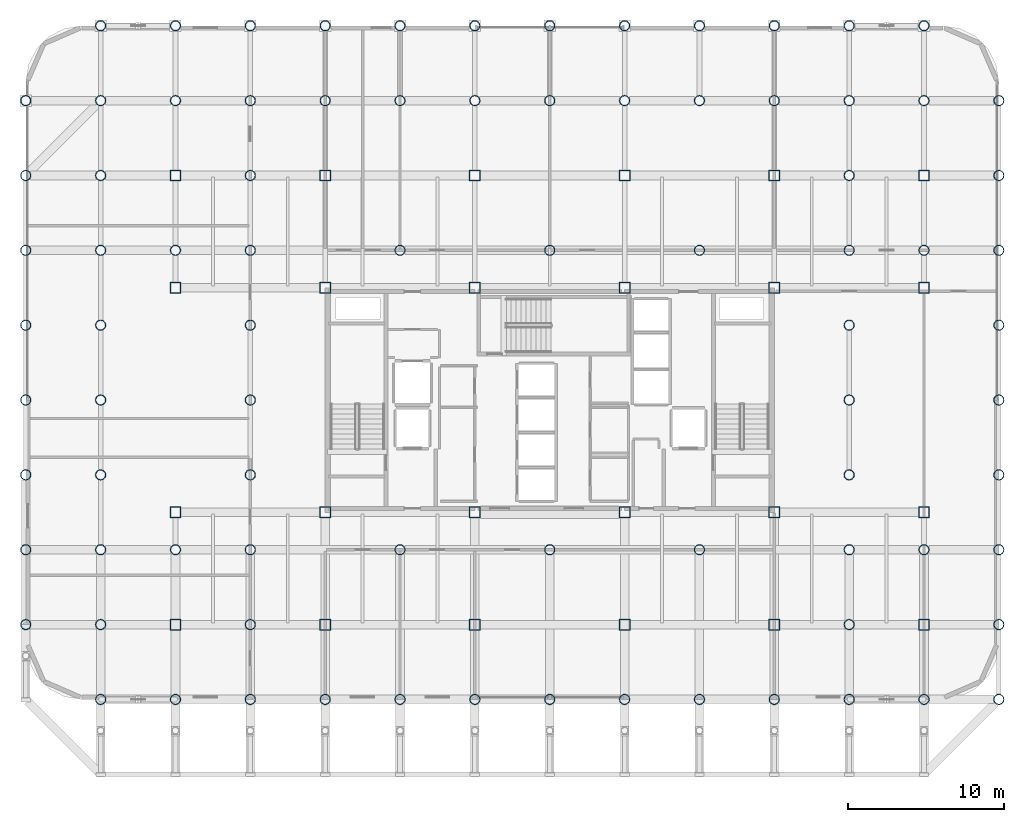
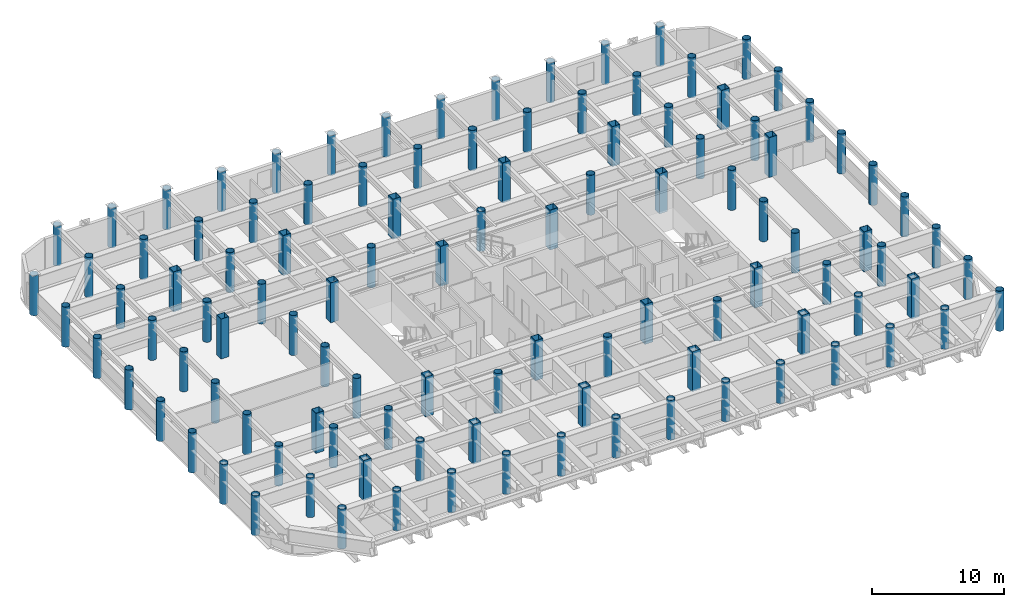
# One storey, part 1 of 24: 108 columns.
"""IFC4 building model written with IfcOpenShell, lengths in metres."""

from ifc_helpers import new_model, si_unit, direction, frame, origin, origin_2d, place, context, subcontext, project, spatial, hollow_rectangle, hollow_circle, extrude, material, material_profile, profile_set, type_object, element, save


model = new_model("IFC4")

# Units and contexts
model_context = context("Model", 3, precision=1e-05, world=origin(), true_north=direction((0.0, 1.0)))
body_context = subcontext(model_context, "Body", "Model", "MODEL_VIEW")
ifc_project = project(units=[si_unit("LENGTHUNIT", "METRE"), si_unit("AREAUNIT", "SQUARE_METRE"), si_unit("VOLUMEUNIT", "CUBIC_METRE"), si_unit("PLANEANGLEUNIT", "RADIAN"), si_unit("MASSUNIT", "GRAM", prefix="KILO")], contexts=[model_context])

# Site, building, storey
site_placement = place(None, origin())
site = spatial("IfcSite", under=ifc_project, at=site_placement, CompositionType="ELEMENT")
building_placement = place(site_placement, origin())
building = spatial("IfcBuilding", under=site, at=building_placement, Name="Kallvorn Hotel Tower", CompositionType="ELEMENT")
storey_placement = place(building_placement, frame((0.0, 0.0, 150.699951171875)))
storey = spatial("IfcBuildingStorey", under=building, at=storey_placement, Name="L37", CompositionType="ELEMENT", Elevation=150.699951171875)

# Columns
ifc_material_1 = material(Name="Structural steel S355J2H", Category="steel")
ifc_material_profile_1 = material_profile(ifc_material_1, hollow_circle(Radius=0.330078125, WallThickness=0.028076171875, at=origin_2d()), Name="CHS 660x28")
ifc_profile_set_1 = profile_set([ifc_material_profile_1], Name="Structural steel S355J2H")
column_type_1 = type_object("IfcColumnType", Name="COL_CHS_660", PredefinedType="COLUMN", material=ifc_profile_set_1)
for number, where, z_axis, x_axis, name in (
    (1, (-33.60009765625, -14.39990234375, 0.0), (0.0, 0.0, 1.0), (1.0, 0.0, 0.0), "L37 Exoskeleton Column EC01"),
    (2, (-33.60009765625, -9.60009765625, 0.0), (0.0, 0.0, 1.0), (1.0, 0.0, 0.0), "L37 Exoskeleton Column EC02"),
    (3, (-33.60009765625, -4.800048828125, 0.0), (0.0, 0.0, 1.0), (1.0, 0.0, 0.0), "L37 Exoskeleton Column EC03"),
    (4, (-33.60009765625, 0.0, 0.0), (0.0, 0.0, 1.0), (1.0, 0.0, 0.0), "L37 Exoskeleton Column EC04"),
    (5, (-33.60009765625, 4.800048828125, 0.0), (0.0, 0.0, 1.0), (1.0, 0.0, 0.0), "L37 Exoskeleton Column EC05"),
    (6, (-33.60009765625, 9.60009765625, 0.0), (0.0, 0.0, 1.0), (1.0, 0.0, 0.0), "L37 Exoskeleton Column EC06"),
    (7, (-33.60009765625, 14.39990234375, 0.0), (0.0, 0.0, 1.0), (1.0, 0.0, 0.0), "L37 Exoskeleton Column EC07"),
    (8, (-33.60009765625, 19.199951171875, 0.0), (0.0, 0.0, 1.0), (1.0, 0.0, 0.0), "L37 Exoskeleton Column EC08"),
    (9, (-28.800048828125, -19.199951171875, 0.0), (0.0, 0.0, 1.0), (1.0, 0.0, 0.0), "L37 Exoskeleton Column EC09"),
    (10, (-28.800048828125, -14.39990234375, 0.0), (0.0, 0.0, 1.0), (1.0, 0.0, 0.0), "L37 Exoskeleton Column EC10"),
    (11, (-28.800048828125, -9.60009765625, 0.0), (0.0, 0.0, 1.0), (1.0, 0.0, 0.0), "L37 Exoskeleton Column EC11"),
    (12, (-28.800048828125, -4.800048828125, 0.0), (0.0, 0.0, 1.0), (1.0, 0.0, 0.0), "L37 Exoskeleton Column EC12"),
    (13, (-28.800048828125, 0.0, 0.0), (0.0, 0.0, 1.0), (1.0, 0.0, 0.0), "L37 Exoskeleton Column EC13"),
    (14, (-28.800048828125, 4.800048828125, 0.0), (0.0, 0.0, 1.0), (1.0, 0.0, 0.0), "L37 Exoskeleton Column EC14"),
    (15, (-28.800048828125, 9.60009765625, 0.0), (0.0, 0.0, 1.0), (1.0, 0.0, 0.0), "L37 Exoskeleton Column EC15"),
    (16, (-28.800048828125, 14.39990234375, 0.0), (0.0, 0.0, 1.0), (1.0, 0.0, 0.0), "L37 Exoskeleton Column EC16"),
    (17, (-28.800048828125, 19.199951171875, 0.0), (0.0, 0.0, 1.0), (1.0, 0.0, 0.0), "L37 Exoskeleton Column EC17"),
    (18, (-28.800048828125, 24.0, 0.0), (0.0, 0.0, 1.0), (1.0, 0.0, 0.0), "L37 Exoskeleton Column EC18"),
    (19, (-24.0, -19.199951171875, 0.0), (0.0, 0.0, 1.0), (1.0, 0.0, 0.0), "L37 Exoskeleton Column EC19"),
    (20, (-24.0, -9.60009765625, 0.0), (0.0, 0.0, 1.0), (1.0, 0.0, 0.0), "L37 Exoskeleton Column EC20"),
    (21, (-24.0, 9.60009765625, 0.0), (0.0, 0.0, 1.0), (1.0, 0.0, 0.0), "L37 Exoskeleton Column EC21"),
    (22, (-24.0, 19.199951171875, 0.0), (0.0, 0.0, 1.0), (1.0, 0.0, 0.0), "L37 Exoskeleton Column EC22"),
    (23, (-24.0, 24.0, 0.0), (0.0, 0.0, 1.0), (1.0, 0.0, 0.0), "L37 Exoskeleton Column EC23"),
    (24, (-19.199951171875, -19.199951171875, 0.0), (0.0, 0.0, 1.0), (1.0, 0.0, 0.0), "L37 Exoskeleton Column EC24"),
    (25, (-19.199951171875, -14.39990234375, 0.0), (0.0, 0.0, 1.0), (1.0, 0.0, 0.0), "L37 Exoskeleton Column EC25"),
    (26, (-19.199951171875, -9.60009765625, 0.0), (0.0, 0.0, 1.0), (1.0, 0.0, 0.0), "L37 Exoskeleton Column EC26"),
    (27, (-19.199951171875, -4.800048828125, 0.0), (0.0, 0.0, 1.0), (1.0, 0.0, 0.0), "L37 Exoskeleton Column EC27"),
    (28, (-19.199951171875, 0.0, 0.0), (0.0, 0.0, 1.0), (1.0, 0.0, 0.0), "L37 Exoskeleton Column EC28"),
    (29, (-19.199951171875, 4.800048828125, 0.0), (0.0, 0.0, 1.0), (1.0, 0.0, 0.0), "L37 Exoskeleton Column EC29"),
    (30, (-19.199951171875, 9.60009765625, 0.0), (0.0, 0.0, 1.0), (1.0, 0.0, 0.0), "L37 Exoskeleton Column EC30"),
    (31, (-19.199951171875, 14.39990234375, 0.0), (0.0, 0.0, 1.0), (1.0, 0.0, 0.0), "L37 Exoskeleton Column EC31"),
    (32, (-19.199951171875, 19.199951171875, 0.0), (0.0, 0.0, 1.0), (1.0, 0.0, 0.0), "L37 Exoskeleton Column EC32"),
    (33, (-19.199951171875, 24.0, 0.0), (0.0, 0.0, 1.0), (1.0, 0.0, 0.0), "L37 Exoskeleton Column EC33"),
    (34, (-14.39990234375, -19.199951171875, 0.0), (0.0, 0.0, 1.0), (1.0, 0.0, 0.0), "L37 Exoskeleton Column EC34"),
    (35, (-14.39990234375, 19.199951171875, 0.0), (0.0, 0.0, 1.0), (1.0, 0.0, 0.0), "L37 Exoskeleton Column EC35"),
    (36, (-14.39990234375, 24.0, 0.0), (0.0, 0.0, 1.0), (1.0, 0.0, 0.0), "L37 Exoskeleton Column EC36"),
    (37, (-9.60009765625, -19.199951171875, 0.0), (0.0, 0.0, 1.0), (1.0, 0.0, 0.0), "L37 Exoskeleton Column EC37"),
    (38, (-9.60009765625, -9.60009765625, 0.0), (0.0, 0.0, 1.0), (1.0, 0.0, 0.0), "L37 Exoskeleton Column EC38"),
    (39, (-9.60009765625, 9.60009765625, 0.0), (0.0, 0.0, 1.0), (1.0, 0.0, 0.0), "L37 Exoskeleton Column EC39"),
    (40, (-9.60009765625, 19.199951171875, 0.0), (0.0, 0.0, 1.0), (1.0, 0.0, 0.0), "L37 Exoskeleton Column EC40"),
    (41, (-9.60009765625, 24.0, 0.0), (0.0, 0.0, 1.0), (1.0, 0.0, 0.0), "L37 Exoskeleton Column EC41"),
    (42, (-4.800048828125, -19.199951171875, 0.0), (0.0, 0.0, 1.0), (1.0, 0.0, 0.0), "L37 Exoskeleton Column EC42"),
    (43, (-4.800048828125, 19.199951171875, 0.0), (0.0, 0.0, 1.0), (1.0, 0.0, 0.0), "L37 Exoskeleton Column EC43"),
    (44, (-4.800048828125, 24.0, 0.0), (0.0, 0.0, 1.0), (1.0, 0.0, 0.0), "L37 Exoskeleton Column EC44"),
    (45, (0.0, -19.199951171875, 0.0), (0.0, 0.0, 1.0), (1.0, 0.0, 0.0), "L37 Exoskeleton Column EC45"),
    (46, (0.0, -9.60009765625, 0.0), (0.0, 0.0, 1.0), (1.0, 0.0, 0.0), "L37 Exoskeleton Column EC46"),
    (47, (0.0, 9.60009765625, 0.0), (0.0, 0.0, 1.0), (1.0, 0.0, 0.0), "L37 Exoskeleton Column EC47"),
    (48, (0.0, 19.199951171875, 0.0), (0.0, 0.0, 1.0), (1.0, 0.0, 0.0), "L37 Exoskeleton Column EC48"),
    (49, (0.0, 24.0, 0.0), (0.0, 0.0, 1.0), (1.0, 0.0, 0.0), "L37 Exoskeleton Column EC49"),
    (50, (4.800048828125, -19.199951171875, 0.0), (0.0, 0.0, 1.0), (1.0, 0.0, 0.0), "L37 Exoskeleton Column EC50"),
    (51, (4.800048828125, 19.199951171875, 0.0), (0.0, 0.0, 1.0), (1.0, 0.0, 0.0), "L37 Exoskeleton Column EC51"),
    (52, (4.800048828125, 24.0, 0.0), (0.0, 0.0, 1.0), (1.0, 0.0, 0.0), "L37 Exoskeleton Column EC52"),
    (53, (9.60009765625, -19.199951171875, 0.0), (0.0, 0.0, 1.0), (1.0, 0.0, 0.0), "L37 Exoskeleton Column EC53"),
    (54, (9.60009765625, -9.60009765625, 0.0), (0.0, 0.0, 1.0), (1.0, 0.0, 0.0), "L37 Exoskeleton Column EC54"),
    (55, (9.60009765625, 9.60009765625, 0.0), (0.0, 0.0, 1.0), (1.0, 0.0, 0.0), "L37 Exoskeleton Column EC55"),
    (56, (9.60009765625, 19.199951171875, 0.0), (0.0, 0.0, 1.0), (1.0, 0.0, 0.0), "L37 Exoskeleton Column EC56"),
    (57, (9.60009765625, 24.0, 0.0), (0.0, 0.0, 1.0), (1.0, 0.0, 0.0), "L37 Exoskeleton Column EC57"),
    (58, (14.39990234375, -19.199951171875, 0.0), (0.0, 0.0, 1.0), (1.0, 0.0, 0.0), "L37 Exoskeleton Column EC58"),
    (59, (14.39990234375, 19.199951171875, 0.0), (0.0, 0.0, 1.0), (1.0, 0.0, 0.0), "L37 Exoskeleton Column EC59"),
    (60, (14.39990234375, 24.0, 0.0), (0.0, 0.0, 1.0), (1.0, 0.0, 0.0), "L37 Exoskeleton Column EC60"),
    (61, (19.199951171875, -19.199951171875, 0.0), (0.0, 0.0, 1.0), (1.0, 0.0, 0.0), "L37 Exoskeleton Column EC61"),
    (62, (19.199951171875, -14.39990234375, 0.0), (0.0, 0.0, 1.0), (1.0, 0.0, 0.0), "L37 Exoskeleton Column EC62"),
    (63, (19.199951171875, -9.60009765625, 0.0), (0.0, 0.0, 1.0), (1.0, 0.0, 0.0), "L37 Exoskeleton Column EC63"),
    (64, (19.199951171875, -4.800048828125, 0.0), (0.0, 0.0, 1.0), (1.0, 0.0, 0.0), "L37 Exoskeleton Column EC64"),
    (65, (19.199951171875, 0.0, 0.0), (0.0, 0.0, 1.0), (1.0, 0.0, 0.0), "L37 Exoskeleton Column EC65"),
    (66, (19.199951171875, 4.800048828125, 0.0), (0.0, 0.0, 1.0), (1.0, 0.0, 0.0), "L37 Exoskeleton Column EC66"),
    (67, (19.199951171875, 9.60009765625, 0.0), (0.0, 0.0, 1.0), (1.0, 0.0, 0.0), "L37 Exoskeleton Column EC67"),
    (68, (19.199951171875, 14.39990234375, 0.0), (0.0, 0.0, 1.0), (1.0, 0.0, 0.0), "L37 Exoskeleton Column EC68"),
    (69, (19.199951171875, 19.199951171875, 0.0), (0.0, 0.0, 1.0), (1.0, 0.0, 0.0), "L37 Exoskeleton Column EC69"),
    (70, (19.199951171875, 24.0, 0.0), (0.0, 0.0, 1.0), (1.0, 0.0, 0.0), "L37 Exoskeleton Column EC70"),
    (71, (24.0, -19.199951171875, 0.0), (0.0, 0.0, 1.0), (1.0, 0.0, 0.0), "L37 Exoskeleton Column EC71"),
    (72, (24.0, -9.60009765625, 0.0), (0.0, 0.0, 1.0), (1.0, 0.0, 0.0), "L37 Exoskeleton Column EC72"),
    (73, (24.0, 9.60009765625, 0.0), (0.0, 0.0, 1.0), (1.0, 0.0, 0.0), "L37 Exoskeleton Column EC73"),
    (74, (24.0, 19.199951171875, 0.0), (0.0, 0.0, 1.0), (1.0, 0.0, 0.0), "L37 Exoskeleton Column EC74"),
    (75, (24.0, 24.0, 0.0), (0.0, 0.0, 1.0), (1.0, 0.0, 0.0), "L37 Exoskeleton Column EC75"),
    (76, (28.800048828125, -19.199951171875, 0.0), (0.0, 0.0, 1.0), (1.0, 0.0, 0.0), "L37 Exoskeleton Column EC76"),
    (77, (28.800048828125, -14.39990234375, 0.0), (0.0, 0.0, 1.0), (1.0, 0.0, 0.0), "L37 Exoskeleton Column EC77"),
    (78, (28.800048828125, -9.60009765625, 0.0), (0.0, 0.0, 1.0), (1.0, 0.0, 0.0), "L37 Exoskeleton Column EC78"),
    (79, (28.800048828125, -4.800048828125, 0.0), (0.0, 0.0, 1.0), (1.0, 0.0, 0.0), "L37 Exoskeleton Column EC79"),
    (80, (28.800048828125, 0.0, 0.0), (0.0, 0.0, 1.0), (1.0, 0.0, 0.0), "L37 Exoskeleton Column EC80"),
    (81, (28.800048828125, 4.800048828125, 0.0), (0.0, 0.0, 1.0), (1.0, 0.0, 0.0), "L37 Exoskeleton Column EC81"),
    (82, (28.800048828125, 9.60009765625, 0.0), (0.0, 0.0, 1.0), (1.0, 0.0, 0.0), "L37 Exoskeleton Column EC82"),
    (83, (28.800048828125, 14.39990234375, 0.0), (0.0, 0.0, 1.0), (1.0, 0.0, 0.0), "L37 Exoskeleton Column EC83"),
    (84, (28.800048828125, 19.199951171875, 0.0), (0.0, 0.0, 1.0), (1.0, 0.0, 0.0), "L37 Exoskeleton Column EC84"),
):
    element("IfcColumn", number, at=place(storey_placement, frame(where, z_axis=z_axis, x_axis=x_axis)), inside=storey, type_object=column_type_1, Name=name, PredefinedType="COLUMN", context=body_context, shape_type="SweptSolid", body=[
        extrude(hollow_circle(Radius=0.330078125, WallThickness=0.028076171875, at=origin_2d()), origin(), (0.0, 0.0, 1.0), 3.699951171875),
    ])
ifc_material_2 = material(Name="Structural steel S355J2H", Category="steel")
ifc_material_profile_2 = material_profile(ifc_material_2, hollow_rectangle(XDim=0.699951171875, YDim=0.699951171875, WallThickness=0.031982421875, at=origin_2d()), Name="RHS 700x700x32")
ifc_profile_set_2 = profile_set([ifc_material_profile_2], Name="Structural steel S355J2H")
column_type_2 = type_object("IfcColumnType", Name="COL_RHS_700", PredefinedType="COLUMN", material=ifc_profile_set_2)
for number, where, z_axis, x_axis, name in (
    (85, (-24.0, -14.39990234375, 0.0), (0.0, 0.0, 1.0), (1.0, 0.0, 0.0), "L37 Inner Column IC01"),
    (86, (-24.0, -7.199951171875, 0.0), (0.0, 0.0, 1.0), (1.0, 0.0, 0.0), "L37 Inner Column IC02"),
    (87, (-24.0, 7.199951171875, 0.0), (0.0, 0.0, 1.0), (1.0, 0.0, 0.0), "L37 Inner Column IC03"),
    (88, (-24.0, 14.39990234375, 0.0), (0.0, 0.0, 1.0), (1.0, 0.0, 0.0), "L37 Inner Column IC04"),
    (89, (-14.39990234375, -14.39990234375, 0.0), (0.0, 0.0, 1.0), (1.0, 0.0, 0.0), "L37 Inner Column IC05"),
    (90, (-14.39990234375, -7.199951171875, 0.0), (0.0, 0.0, 1.0), (1.0, 0.0, 0.0), "L37 Inner Column IC06"),
    (91, (-14.39990234375, 7.199951171875, 0.0), (0.0, 0.0, 1.0), (1.0, 0.0, 0.0), "L37 Inner Column IC07"),
    (92, (-14.39990234375, 14.39990234375, 0.0), (0.0, 0.0, 1.0), (1.0, 0.0, 0.0), "L37 Inner Column IC08"),
    (93, (-4.800048828125, -14.39990234375, 0.0), (0.0, 0.0, 1.0), (1.0, 0.0, 0.0), "L37 Inner Column IC09"),
    (94, (-4.800048828125, -7.199951171875, 0.0), (0.0, 0.0, 1.0), (1.0, 0.0, 0.0), "L37 Inner Column IC10"),
    (95, (-4.800048828125, 7.199951171875, 0.0), (0.0, 0.0, 1.0), (1.0, 0.0, 0.0), "L37 Inner Column IC11"),
    (96, (-4.800048828125, 14.39990234375, 0.0), (0.0, 0.0, 1.0), (1.0, 0.0, 0.0), "L37 Inner Column IC12"),
    (97, (4.800048828125, -14.39990234375, 0.0), (0.0, 0.0, 1.0), (1.0, 0.0, 0.0), "L37 Inner Column IC13"),
    (98, (4.800048828125, -7.199951171875, 0.0), (0.0, 0.0, 1.0), (1.0, 0.0, 0.0), "L37 Inner Column IC14"),
    (99, (4.800048828125, 7.199951171875, 0.0), (0.0, 0.0, 1.0), (1.0, 0.0, 0.0), "L37 Inner Column IC15"),
    (100, (4.800048828125, 14.39990234375, 0.0), (0.0, 0.0, 1.0), (1.0, 0.0, 0.0), "L37 Inner Column IC16"),
    (101, (14.39990234375, -14.39990234375, 0.0), (0.0, 0.0, 1.0), (1.0, 0.0, 0.0), "L37 Inner Column IC17"),
    (102, (14.39990234375, -7.199951171875, 0.0), (0.0, 0.0, 1.0), (1.0, 0.0, 0.0), "L37 Inner Column IC18"),
    (103, (14.39990234375, 7.199951171875, 0.0), (0.0, 0.0, 1.0), (1.0, 0.0, 0.0), "L37 Inner Column IC19"),
    (104, (14.39990234375, 14.39990234375, 0.0), (0.0, 0.0, 1.0), (1.0, 0.0, 0.0), "L37 Inner Column IC20"),
    (105, (24.0, -14.39990234375, 0.0), (0.0, 0.0, 1.0), (1.0, 0.0, 0.0), "L37 Inner Column IC21"),
    (106, (24.0, -7.199951171875, 0.0), (0.0, 0.0, 1.0), (1.0, 0.0, 0.0), "L37 Inner Column IC22"),
    (107, (24.0, 7.199951171875, 0.0), (0.0, 0.0, 1.0), (1.0, 0.0, 0.0), "L37 Inner Column IC23"),
    (108, (24.0, 14.39990234375, 0.0), (0.0, 0.0, 1.0), (1.0, 0.0, 0.0), "L37 Inner Column IC24"),
):
    element("IfcColumn", number, at=place(storey_placement, frame(where, z_axis=z_axis, x_axis=x_axis)), inside=storey, type_object=column_type_2, Name=name, PredefinedType="COLUMN", context=body_context, shape_type="SweptSolid", body=[
        extrude(hollow_rectangle(XDim=0.699951171875, YDim=0.699951171875, WallThickness=0.031982421875, at=origin_2d()), origin(), (0.0, 0.0, 1.0), 3.699951171875),
    ])

save(model, "model.ifc")
